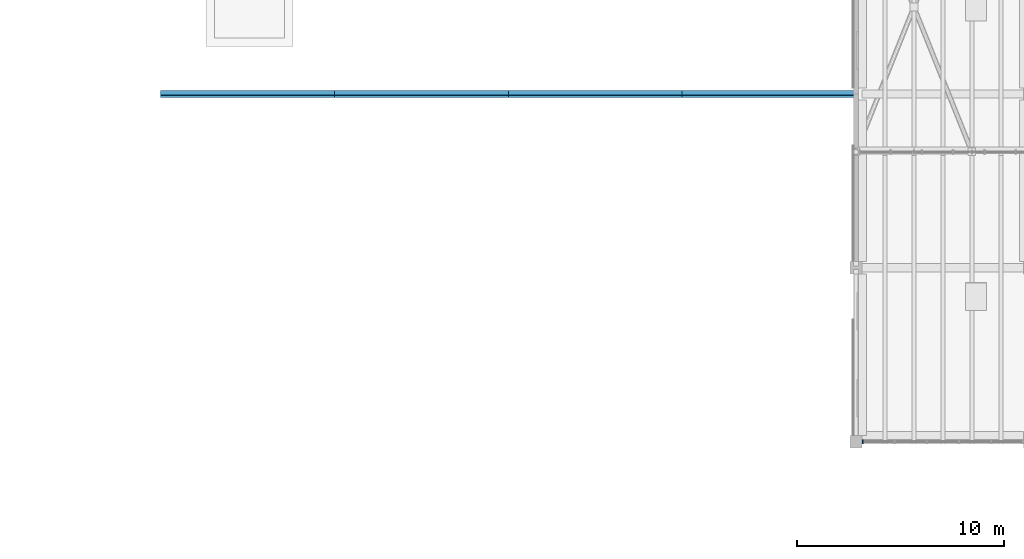
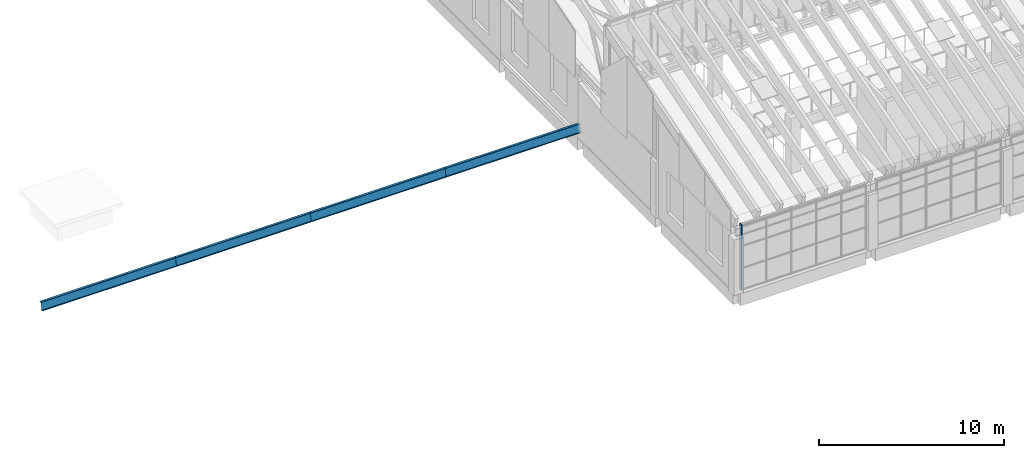
# One storey, part 6 of 91: 4 beams, 1 member, 1 element without a shape of its own.
"""IFC4 building model written with IfcOpenShell, lengths in metres."""

from ifc_helpers import new_model, si_unit, direction, frame, origin, origin_2d, place, context, subcontext, project, spatial, rectangle, i_section, extrude, material, material_profile, profile_set, type_object, element, aggregate, save


model = new_model("IFC4")

# Units and contexts
model_context = context("Model", 3, precision=1e-05, world=origin(), true_north=direction((0.0, 1.0)))
body_context = subcontext(model_context, "Body", "Model", "MODEL_VIEW")
ifc_project = project(units=[si_unit("LENGTHUNIT", "METRE"), si_unit("AREAUNIT", "SQUARE_METRE"), si_unit("VOLUMEUNIT", "CUBIC_METRE"), si_unit("PLANEANGLEUNIT", "RADIAN"), si_unit("MASSUNIT", "GRAM", prefix="KILO")], contexts=[model_context])

# Site, building, storey
site_placement = place(None, origin())
site = spatial("IfcSite", under=ifc_project, at=site_placement, CompositionType="ELEMENT")
building_placement = place(site_placement, origin())
building = spatial("IfcBuilding", under=site, at=building_placement, Name="Almond Square Museum", CompositionType="ELEMENT")
storey_placement = place(building_placement, frame((0.0, 0.0, 30.0)))
storey = spatial("IfcBuildingStorey", under=building, at=storey_placement, Name="L05", CompositionType="ELEMENT", Elevation=30.0)

# Curtain wall, member
ifc_material_1 = material(Name="Aluminium and laminated glass", Category="aluminium")
curtain_wall_type = type_object("IfcCurtainWallType", Name="Unitised curtain wall 1500 module", PredefinedType="NOTDEFINED", material=ifc_material_1)
curtain_wall_placement = place(storey_placement, origin())
curtain_wall = element("IfcCurtainWall", 1, at=curtain_wall_placement, inside=storey, type_object=curtain_wall_type, Name="Curtain wall CW-50", PredefinedType="NOTDEFINED")
ifc_material_2 = material(Name="Anodised aluminium", Category="aluminium")
ifc_material_profile_1 = material_profile(ifc_material_2, rectangle(XDim=0.199951171875, YDim=0.06005859375, at=origin_2d()))
ifc_profile_set_1 = profile_set([ifc_material_profile_1], Name="Anodised aluminium")
member_type = type_object("IfcMemberType", Name="Aluminium mullion 60 x 200", PredefinedType="MULLION", material=ifc_profile_set_1)
member_placement = place(storey_placement, frame((73.530029296875, 67.199951171875, 0.0), z_axis=(0.0, 0.0, 1.0), x_axis=(0.0, 1.0, 0.0)))
member = element("IfcMember", 2, at=member_placement, type_object=member_type, Name="CW-50 mullion 1", PredefinedType="MULLION", context=body_context, shape_type="SweptSolid", body=[
    extrude(rectangle(XDim=0.199951171875, YDim=0.06005859375, at=origin_2d()), origin(), (0.0, 0.0, 1.0), 4.346923828125),
])
aggregate(curtain_wall, [member])

# Beams
ifc_material_3 = material(Name="Structural steel S355", Category="steel")
ifc_material_profile_2 = material_profile(ifc_material_3, i_section(OverallWidth=0.208984375, OverallDepth=0.532958984375, WebThickness=0.01025390625, FlangeThickness=0.015625, at=origin_2d()))
ifc_profile_set_2 = profile_set([ifc_material_profile_2], Name="Structural steel S355")
beam_type = type_object("IfcBeamType", Name="Roof beam W530x92", PredefinedType="BEAM", material=ifc_profile_set_2)
for number, where, z_axis, x_axis, name in (
    (3, (39.60009765625, 84.0, 0.623291015625), (1.0, 0.0, 0.0), (0.0, 0.972806205605, -0.231620565444), "V4N roof beam 1.1"),
    (4, (48.0, 84.0, 0.623291015625), (1.0, 0.0, 0.0), (0.0, 0.972806205605, -0.231620565444), "V4N roof beam 1.2"),
):
    element("IfcBeam", number, at=place(storey_placement, frame(where, z_axis=z_axis, x_axis=x_axis)), inside=storey, type_object=beam_type, Name=name, PredefinedType="BEAM", context=body_context, shape_type="SweptSolid", body=[
        extrude(i_section(OverallWidth=0.208984375, OverallDepth=0.532958984375, WebThickness=0.01025390625, FlangeThickness=0.015625, at=origin_2d()), origin(), (0.0, 0.0, 1.0), 8.39990234375),
    ])
beam_1_placement = place(storey_placement, frame((56.39990234375, 84.0, 0.623291015625), z_axis=(1.0, 0.0, 0.0), x_axis=(0.0, 0.972806205605, -0.231620565444)))
element("IfcBeam", 5, at=beam_1_placement, inside=storey, type_object=beam_type, Name="V4N roof beam 1.3", PredefinedType="BEAM", context=body_context, shape_type="SweptSolid", body=[
    extrude(i_section(OverallWidth=0.208984375, OverallDepth=0.532958984375, WebThickness=0.01025390625, FlangeThickness=0.015625, at=origin_2d()), origin(), (0.0, 0.0, 1.0), 8.400146484375),
])
beam_2_placement = place(storey_placement, frame((64.800048828125, 84.0, 0.623291015625), z_axis=(1.0, 0.0, 0.0), x_axis=(0.0, 0.972806205605, -0.231620565444)))
element("IfcBeam", 6, at=beam_2_placement, inside=storey, type_object=beam_type, Name="V4N roof beam 1.4", PredefinedType="BEAM", context=body_context, shape_type="SweptSolid", body=[
    extrude(i_section(OverallWidth=0.208984375, OverallDepth=0.532958984375, WebThickness=0.01025390625, FlangeThickness=0.015625, at=origin_2d()), origin(), (0.0, 0.0, 1.0), 8.39990234375),
])

save(model, "model.ifc")
